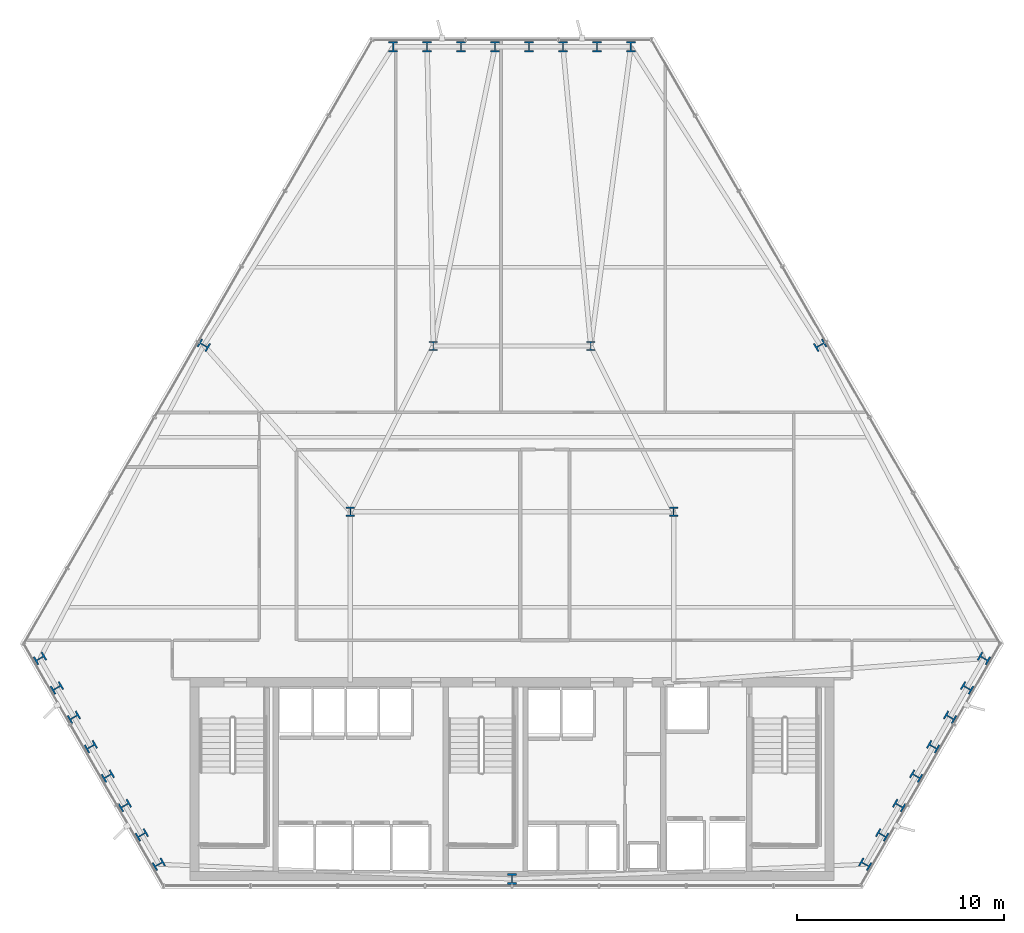
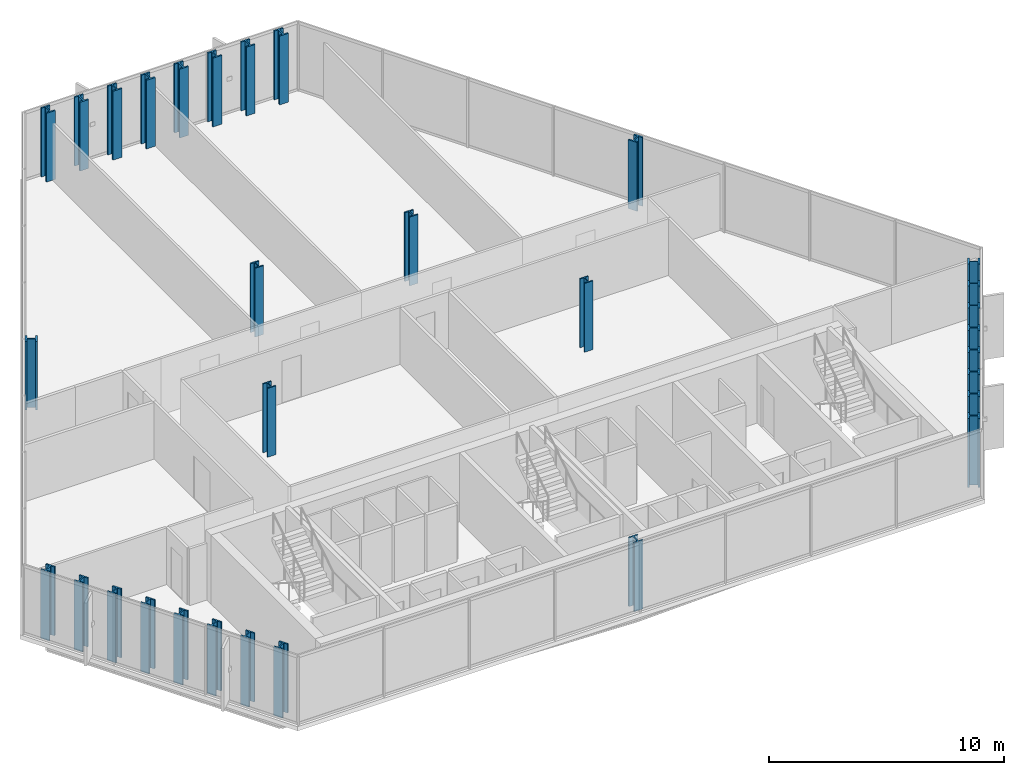
# One storey, part 1 of 31: 31 columns.
"""IFC4 building model written with IfcOpenShell, lengths in metres."""

from ifc_helpers import new_model, si_unit, direction, frame, origin, origin_2d, place, context, subcontext, project, spatial, i_section, extrude, material, material_profile, profile_set, type_object, element, save


model = new_model("IFC4")

# Units and contexts
model_context = context("Model", 3, precision=1e-05, world=origin(), true_north=direction((0.0, 1.0)))
body_context = subcontext(model_context, "Body", "Model", "MODEL_VIEW")
ifc_project = project(units=[si_unit("LENGTHUNIT", "METRE"), si_unit("AREAUNIT", "SQUARE_METRE"), si_unit("VOLUMEUNIT", "CUBIC_METRE"), si_unit("PLANEANGLEUNIT", "RADIAN"), si_unit("MASSUNIT", "GRAM", prefix="KILO")], contexts=[model_context])

# Site, building, storey
site_placement = place(None, origin())
site = spatial("IfcSite", under=ifc_project, at=site_placement, CompositionType="ELEMENT")
building_placement = place(site_placement, origin())
building = spatial("IfcBuilding", under=site, at=building_placement, Name="Ndaravel Arena Tower", CompositionType="ELEMENT")
storey_placement = place(building_placement, frame((0.0, 0.0, 104.39990234375)))
storey = spatial("IfcBuildingStorey", under=building, at=storey_placement, Name="L24", CompositionType="ELEMENT", Elevation=104.39990234375)

# Columns
ifc_material_1 = material(Name="Steel S460", Category="steel")
ifc_material_profile_1 = material_profile(ifc_material_1, i_section(OverallWidth=0.41845703125, OverallDepth=0.45556640625, WebThickness=0.0419921875, FlangeThickness=0.0673828125, FilletRadius=0.01513671875, at=origin_2d()), Name="UC 356x406x551")
ifc_profile_set_1 = profile_set([ifc_material_profile_1], Name="Steel S460")
column_type_1 = type_object("IfcColumnType", Name="COL-INT-UC551", PredefinedType="COLUMN", material=ifc_profile_set_1)
for number, where, z_axis, x_axis, name in (
    (1, (34.199951171875, 23.199951171875, 0.0), (0.0, 0.0, 1.0), (1.0, 0.0, 0.0), "L24 Interior Spine Column IC-01"),
    (2, (49.800048828125, 23.199951171875, 0.0), (0.0, 0.0, 1.0), (1.0, 0.0, 0.0), "L24 Interior Spine Column IC-02"),
    (3, (38.199951171875, 31.199951171875, 0.0), (0.0, 0.0, 1.0), (1.0, 0.0, 0.0), "L24 Interior Spine Column IC-03"),
    (4, (45.800048828125, 31.199951171875, 0.0), (0.0, 0.0, 1.0), (1.0, 0.0, 0.0), "L24 Interior Spine Column IC-04"),
):
    element("IfcColumn", number, at=place(storey_placement, frame(where, z_axis=z_axis, x_axis=x_axis)), inside=storey, type_object=column_type_1, Name=name, PredefinedType="COLUMN", context=body_context, shape_type="SweptSolid", body=[
        extrude(i_section(OverallWidth=0.41845703125, OverallDepth=0.45556640625, WebThickness=0.0419921875, FlangeThickness=0.0673828125, FilletRadius=0.01513671875, at=origin_2d()), origin(), (0.0, 0.0, 1.0), 3.580078125),
    ])
ifc_material_2 = material(Name="Steel S460", Category="steel")
ifc_material_profile_2 = material_profile(ifc_material_2, i_section(OverallWidth=0.43701171875, OverallDepth=0.513916015625, WebThickness=0.060546875, FlangeThickness=0.076904296875, FilletRadius=0.014892578125, at=origin_2d()), Name="HD 400x818")
ifc_profile_set_2 = profile_set([ifc_material_profile_2], Name="Steel S460")
column_type_2 = type_object("IfcColumnType", Name="COL-TUBE-HD818", PredefinedType="COLUMN", material=ifc_profile_set_2)
for number, where, z_axis, x_axis, name in (
    (5, (42.0, 5.47998046875, 0.0), (0.0, 0.0, 1.0), (1.0, 0.0, 0.0), "L24 Framed Tube Column TC-01"),
    (6, (59.04296875, 6.189697265625, 0.0), (0.0, 0.0, 1.0), (0.5, 0.866025403784, 0.0), "L24 Framed Tube Column TC-02"),
    (7, (59.8623046875, 7.608642578125, 0.0), (0.0, 0.0, 1.0), (0.5, 0.866025403784, 0.0), "L24 Framed Tube Column TC-03"),
    (8, (60.681640625, 9.02783203125, 0.0), (0.0, 0.0, 1.0), (0.5, 0.866025403784, 0.0), "L24 Framed Tube Column TC-04"),
    (9, (61.5009765625, 10.44677734375, 0.0), (0.0, 0.0, 1.0), (0.5, 0.866025403784, 0.0), "L24 Framed Tube Column TC-05"),
    (10, (62.3203125, 11.865966796875, 0.0), (0.0, 0.0, 1.0), (0.5, 0.866025403784, 0.0), "L24 Framed Tube Column TC-06"),
    (11, (63.139404296875, 13.284912109375, 0.0), (0.0, 0.0, 1.0), (0.5, 0.866025403784, 0.0), "L24 Framed Tube Column TC-07"),
    (12, (63.958740234375, 14.7041015625, 0.0), (0.0, 0.0, 1.0), (0.5, 0.866025403784, 0.0), "L24 Framed Tube Column TC-08"),
    (13, (64.778076171875, 16.123291015625, 0.0), (0.0, 0.0, 1.0), (0.5, 0.866025403784, 0.0), "L24 Framed Tube Column TC-09"),
    (14, (56.87109375, 31.23779296875, 0.0), (0.0, 0.0, 1.0), (-0.5, 0.866025403784, 0.0), "L24 Framed Tube Column TC-10"),
    (15, (47.7353515625, 45.642578125, 0.0), (0.0, 0.0, 1.0), (1.0, 0.0, 0.0), "L24 Framed Tube Column TC-11"),
    (16, (46.0966796875, 45.642578125, 0.0), (0.0, 0.0, 1.0), (1.0, 0.0, 0.0), "L24 Framed Tube Column TC-12"),
    (17, (44.4580078125, 45.642578125, 0.0), (0.0, 0.0, 1.0), (1.0, 0.0, 0.0), "L24 Framed Tube Column TC-13"),
    (18, (42.8193359375, 45.642578125, 0.0), (0.0, 0.0, 1.0), (1.0, 0.0, 0.0), "L24 Framed Tube Column TC-14"),
    (19, (41.1806640625, 45.642578125, 0.0), (0.0, 0.0, 1.0), (1.0, 0.0, 0.0), "L24 Framed Tube Column TC-15"),
    (20, (39.5419921875, 45.642578125, 0.0), (0.0, 0.0, 1.0), (1.0, 0.0, 0.0), "L24 Framed Tube Column TC-16"),
    (21, (37.9033203125, 45.642578125, 0.0), (0.0, 0.0, 1.0), (1.0, 0.0, 0.0), "L24 Framed Tube Column TC-17"),
    (22, (36.2646484375, 45.642578125, 0.0), (0.0, 0.0, 1.0), (1.0, 0.0, 0.0), "L24 Framed Tube Column TC-18"),
    (23, (27.12890625, 31.23779296875, 0.0), (0.0, 0.0, 1.0), (0.5, 0.866025403784, 0.0), "L24 Framed Tube Column TC-19"),
    (24, (19.221923828125, 16.123291015625, 0.0), (0.0, 0.0, 1.0), (-0.5, 0.866025403784, 0.0), "L24 Framed Tube Column TC-20"),
    (25, (20.041259765625, 14.7041015625, 0.0), (0.0, 0.0, 1.0), (-0.5, 0.866025403784, 0.0), "L24 Framed Tube Column TC-21"),
    (26, (20.860595703125, 13.284912109375, 0.0), (0.0, 0.0, 1.0), (-0.5, 0.866025403784, 0.0), "L24 Framed Tube Column TC-22"),
    (27, (21.6796875, 11.865966796875, 0.0), (0.0, 0.0, 1.0), (-0.5, 0.866025403784, 0.0), "L24 Framed Tube Column TC-23"),
    (28, (22.4990234375, 10.44677734375, 0.0), (0.0, 0.0, 1.0), (-0.5, 0.866025403784, 0.0), "L24 Framed Tube Column TC-24"),
    (29, (23.318359375, 9.02783203125, 0.0), (0.0, 0.0, 1.0), (-0.5, 0.866025403784, 0.0), "L24 Framed Tube Column TC-25"),
    (30, (24.1376953125, 7.608642578125, 0.0), (0.0, 0.0, 1.0), (-0.5, 0.866025403784, 0.0), "L24 Framed Tube Column TC-26"),
    (31, (24.95703125, 6.189697265625, 0.0), (0.0, 0.0, 1.0), (-0.5, 0.866025403784, 0.0), "L24 Framed Tube Column TC-27"),
):
    element("IfcColumn", number, at=place(storey_placement, frame(where, z_axis=z_axis, x_axis=x_axis)), inside=storey, type_object=column_type_2, Name=name, PredefinedType="COLUMN", context=body_context, shape_type="SweptSolid", body=[
        extrude(i_section(OverallWidth=0.43701171875, OverallDepth=0.513916015625, WebThickness=0.060546875, FlangeThickness=0.076904296875, FilletRadius=0.014892578125, at=origin_2d()), origin(), (0.0, 0.0, 1.0), 3.580078125),
    ])

save(model, "model.ifc")
